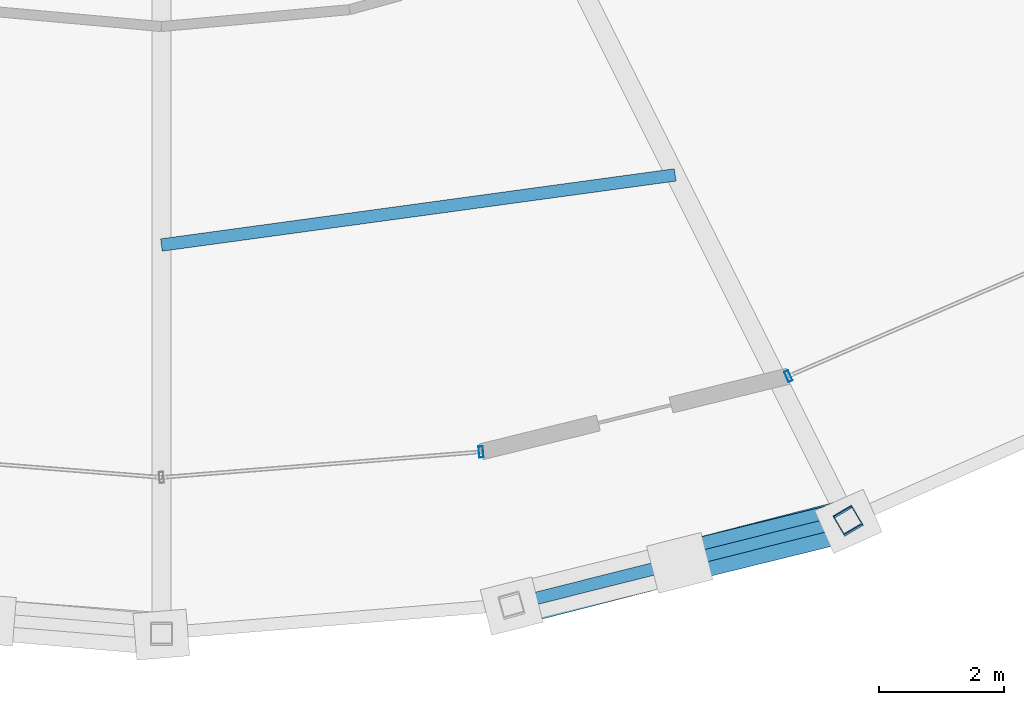
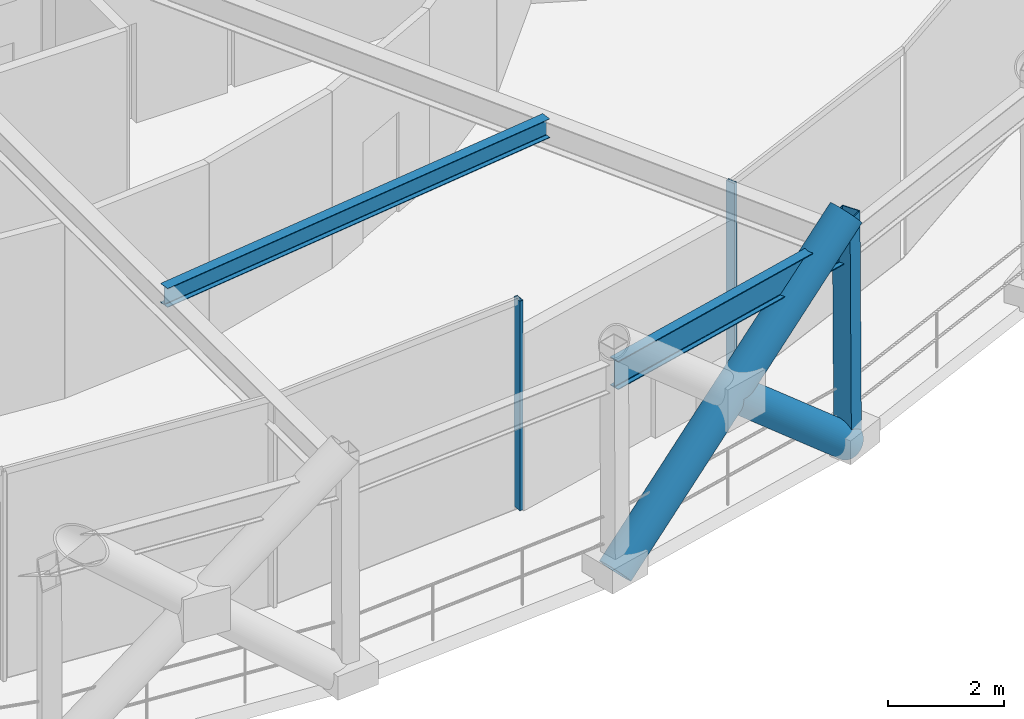
# One storey, part 11 of 39: 5 members, 2 beams, 2 elements without a shape of their own.
"""IFC4 building model written with IfcOpenShell, lengths in metres."""

import ifcopenshell
import ifcopenshell.guid

model = None  # the IFC model being written
_history = None  # IfcOwnerHistory: only IFC2X3 demands one
_inside = {}  # id of a spatial element -> (the spatial element, [elements in it])
_under = {}  # id of a project, library or spatial element -> (it, [spatial elements below it])
_declared = {}  # id of a project -> (the project, [libraries it declares])
_typed = {}  # id of a type object -> (the type object, [elements of that type])
_made_of = {}  # id of a material, layer set ... -> (it, [elements and type objects made of it])


def new_model(schema):
    """Start an empty IFC model of exactly this schema.

    Asked for "IFC4X3", IfcOpenShell would pick the latest addendum, in which some entities
    have other attributes; the version numbers below select the first issue.
    IFC2X3 requires an IfcOwnerHistory on every rooted entity: one is made here for all.
    """
    global model, _history
    if schema == "IFC4X3":
        model = ifcopenshell.file(schema_version=(4, 3, 0, 0))
    else:
        model = ifcopenshell.file(schema=schema)
    _inside.clear()
    _under.clear()
    _declared.clear()
    _typed.clear()
    _made_of.clear()
    _history = None
    if model.schema == "IFC2X3":
        org = make("IfcOrganization", Name="unknown")
        user = make(
            "IfcPersonAndOrganization",
            ThePerson=make("IfcPerson", FamilyName="unknown"),
            TheOrganization=org,
        )
        app = make(
            "IfcApplication",
            ApplicationDeveloper=org,
            Version="unknown",
            ApplicationFullName="unknown",
            ApplicationIdentifier="unknown",
        )
        _history = make(
            "IfcOwnerHistory",
            OwningUser=user,
            OwningApplication=app,
            ChangeAction="ADDED",
            CreationDate=0,
        )
    return model


def make(cls, **values):
    """One entity of the class cls with the attributes given. An attribute that is None is left unset."""
    return model.create_entity(
        cls, **{name: value for name, value in values.items() if value is not None}
    )


def rooted(cls, **values):
    """An entity with a GlobalId (a new one), such as an element, a storey or a relation."""
    return make(cls, GlobalId=ifcopenshell.guid.new(), OwnerHistory=_history, **values)


def si_unit(unit_type, name, prefix=None):
    """IfcSIUnit, for example si_unit("LENGTHUNIT", "METRE", prefix="MILLI")."""
    return make("IfcSIUnit", UnitType=unit_type, Prefix=prefix, Name=name)


def assignment(units):
    """IfcUnitAssignment: the units of a project."""
    return None if units is None else make("IfcUnitAssignment", Units=units)


def point(xyz):
    """IfcCartesianPoint."""
    return None if xyz is None else make("IfcCartesianPoint", Coordinates=xyz)


def direction(xyz):
    """IfcDirection."""
    return None if xyz is None else make("IfcDirection", DirectionRatios=xyz)


def frame(location, z_axis=None, x_axis=None):
    """IfcAxis2Placement3D, a coordinate frame: its origin and axes. An axis left out is left unset."""
    return make(
        "IfcAxis2Placement3D",
        Location=point(location),
        Axis=direction(z_axis),
        RefDirection=direction(x_axis),
    )


def frame_2d(location, x_axis=None):
    """IfcAxis2Placement2D, a coordinate frame in the plane: its origin and x axis."""
    return make(
        "IfcAxis2Placement2D", Location=point(location), RefDirection=direction(x_axis)
    )


def origin():
    """The frame at (0, 0, 0) with its axes left unset."""
    return frame((0.0, 0.0, 0.0))


def origin_2d():
    """The frame at (0, 0) in the plane with its x axis left unset."""
    return frame_2d((0.0, 0.0))


def place(relative_to, where):
    """IfcLocalPlacement: puts the frame where relative to a parent placement (None: the world)."""
    return make(
        "IfcLocalPlacement", PlacementRelTo=relative_to, RelativePlacement=where
    )


def context(
    kind, dimensions, precision=None, world=None, true_north=None, identifier=None
):
    """IfcGeometricRepresentationContext, for example the 3D "Model" context."""
    return make(
        "IfcGeometricRepresentationContext",
        ContextIdentifier=identifier,
        ContextType=kind,
        CoordinateSpaceDimension=dimensions,
        Precision=precision,
        WorldCoordinateSystem=world,
        TrueNorth=true_north,
    )


def subcontext(parent, identifier, kind, view, scale=None):
    """IfcGeometricRepresentationSubContext, for example "Body" below "Model"."""
    return make(
        "IfcGeometricRepresentationSubContext",
        ContextIdentifier=identifier,
        ContextType=kind,
        ParentContext=parent,
        TargetScale=scale,
        TargetView=view,
    )


def project(units=None, contexts=None):
    """IfcProject with its units and contexts."""
    return rooted(
        "IfcProject",
        Name="project",
        RepresentationContexts=contexts,
        UnitsInContext=assignment(units),
    )


def spatial(cls, under=None, at=None, **own):
    """A site, building, storey or space (cls), placed at a placement, below another one or the project."""
    s = rooted(cls, ObjectPlacement=at, **own)
    if under is not None:
        _under.setdefault(under.id(), (under, []))[1].append(s)
    return s


def profile(cls, at=None, kind="AREA", **sizes):
    """A parametric profile (cls). Its sizes go by their IFC names, for example OverallWidth=200.0."""
    return make(cls, ProfileType=kind, Position=at, **sizes)


def hollow_rectangle(**sizes):
    """IfcRectangleHollowProfileDef."""
    return profile("IfcRectangleHollowProfileDef", **sizes)


def hollow_circle(**sizes):
    """IfcCircleHollowProfileDef."""
    return profile("IfcCircleHollowProfileDef", **sizes)


def i_section(**sizes):
    """IfcIShapeProfileDef."""
    return profile("IfcIShapeProfileDef", **sizes)


def extrude(swept, where, along, depth):
    """IfcExtrudedAreaSolid: the profile swept, set in the frame where, extruded along a direction by depth."""
    return make(
        "IfcExtrudedAreaSolid",
        SweptArea=swept,
        Position=where,
        ExtrudedDirection=direction(along),
        Depth=depth,
    )


def shape(context_of_items, identifier, shape_type, items):
    """IfcShapeRepresentation: the items that make up one representation, for example the "Body"."""
    return make(
        "IfcShapeRepresentation",
        ContextOfItems=context_of_items,
        RepresentationIdentifier=identifier,
        RepresentationType=shape_type,
        Items=items,
    )


def material(Name=None, Category=None):
    """IfcMaterial."""
    return make("IfcMaterial", Name=Name, Category=Category)


def layer(
    of_material, thickness, ventilated=None, Name=None, Category=None, Priority=None
):
    """IfcMaterialLayer: one layer of a wall or slab, of a material (None: an air gap)."""
    return make(
        "IfcMaterialLayer",
        Material=of_material,
        LayerThickness=thickness,
        IsVentilated=ventilated,
        Name=Name,
        Category=Category,
        Priority=Priority,
    )


def layer_set(layers, Name=None):
    """IfcMaterialLayerSet."""
    return make("IfcMaterialLayerSet", MaterialLayers=layers, LayerSetName=Name)


def material_profile(
    of_material, cross_section, Name=None, Category=None, Priority=None
):
    """IfcMaterialProfile: a cross section and its material."""
    return make(
        "IfcMaterialProfile",
        Name=Name,
        Material=of_material,
        Profile=cross_section,
        Priority=Priority,
        Category=Category,
    )


def profile_set(profiles, Name=None, composite=None):
    """IfcMaterialProfileSet."""
    return make(
        "IfcMaterialProfileSet",
        Name=Name,
        MaterialProfiles=profiles,
        CompositeProfile=composite,
    )


def made_of(thing, what):
    """Note that an element or type object is made of a material, layer set ...; save() writes the relation."""
    if what is not None:
        _made_of.setdefault(what.id(), (what, []))[1].append(thing)
    return thing


def type_object(cls, material=None, **own):
    """A type object (cls), such as IfcWallType, which elements share."""
    return made_of(rooted(cls, **own), material)


def element(
    cls,
    number,
    at=None,
    inside=None,
    cuts=None,
    type_object=None,
    material=None,
    context=None,
    identifier="Body",
    shape_type=None,
    held_by="IfcProductDefinitionShape",
    body=None,
    shapes=None,
    **own,
):
    """One element of the class cls, such as IfcWall. Its Tag is "e" and its number.

    at: its placement. inside: the storey or other place that contains it. cuts: it is an
    opening in that element (IfcRelVoidsElement). A single representation is given by context,
    identifier, shape_type and body (its items); several are given by shapes. held_by: the class
    of the entity that holds the representations. save() writes the other relations.
    """
    e = rooted(cls, Tag="e%d" % number, ObjectPlacement=at, **own)
    if body is not None:
        shapes = [shape(context, identifier, shape_type, body)]
    if shapes is not None:
        e.Representation = make(held_by, Representations=shapes)
    if inside is not None:
        _inside.setdefault(inside.id(), (inside, []))[1].append(e)
    if cuts is not None:
        rooted(
            "IfcRelVoidsElement", RelatingBuildingElement=cuts, RelatedOpeningElement=e
        )
    if type_object is not None:
        _typed.setdefault(type_object.id(), (type_object, []))[1].append(e)
    return made_of(e, material)


def aggregate(whole, parts):
    """IfcRelAggregates: a whole, such as a stair, and the parts it consists of."""
    return rooted("IfcRelAggregates", RelatingObject=whole, RelatedObjects=parts)


def save(model, path):
    """Write the relations noted so far, then the file.

    IfcRelAggregates (storeys below a building ...), IfcRelContainedInSpatialStructure (elements
    in a storey), IfcRelDefinesByType, IfcRelAssociatesMaterial and IfcRelDeclares: one each for
    every whole, place, type object, material and project.
    """
    for whole, parts in _under.values():
        aggregate(whole, parts)
    for where, things in _inside.values():
        rooted(
            "IfcRelContainedInSpatialStructure",
            RelatedElements=things,
            RelatingStructure=where,
        )
    for kind, things in _typed.values():
        rooted("IfcRelDefinesByType", RelatedObjects=things, RelatingType=kind)
    for what, things in _made_of.values():
        rooted("IfcRelAssociatesMaterial", RelatedObjects=things, RelatingMaterial=what)
    for by, libraries in _declared.values():
        rooted("IfcRelDeclares", RelatingContext=by, RelatedDefinitions=libraries)
    model.write(path)


model = new_model("IFC4")

# Units and contexts
model_context = context("Model", 3, precision=1e-05, world=origin(), true_north=direction((0.0, 1.0)))
body_context = subcontext(model_context, "Body", "Model", "MODEL_VIEW")
ifc_project = project(units=[si_unit("LENGTHUNIT", "METRE"), si_unit("AREAUNIT", "SQUARE_METRE"), si_unit("VOLUMEUNIT", "CUBIC_METRE"), si_unit("PLANEANGLEUNIT", "RADIAN"), si_unit("MASSUNIT", "GRAM", prefix="KILO")], contexts=[model_context])

# Site, building, storey
site_placement = place(None, origin())
site = spatial("IfcSite", under=ifc_project, at=site_placement, CompositionType="ELEMENT")
building_placement = place(site_placement, origin())
building = spatial("IfcBuilding", under=site, at=building_placement, Name="Veldorina Hangang Commons", CompositionType="ELEMENT")
storey_placement = place(building_placement, frame((0.0, 0.0, 106.0)))
storey = spatial("IfcBuildingStorey", under=building, at=storey_placement, Name="L27", CompositionType="ELEMENT", Elevation=106.0)

# Beams
ifc_material_1 = material(Name="Steel SM355-TMC", Category="steel")
ifc_material_profile_1 = material_profile(ifc_material_1, i_section(OverallWidth=0.199951171875, OverallDepth=0.39990234375, WebThickness=0.008056640625, FlangeThickness=0.012939453125, FilletRadius=0.012939453125, at=origin_2d()), Name="H-400x200x8x13")
ifc_profile_set_1 = profile_set([ifc_material_profile_1], Name="Steel SM355-TMC")
beam_type_1 = type_object("IfcBeamType", Name="BM-JST400", PredefinedType="JOIST", material=ifc_profile_set_1)
beam_1_placement = place(storey_placement, frame((32.0, 6.3974609375, 4.239990234375), z_axis=(0.990812466832, 0.135242950166, 0.0), x_axis=(-0.135242950166, 0.990812466832, 0.0)))
element("IfcBeam", 1, at=beam_1_placement, inside=storey, type_object=beam_type_1, Name="L27 secondary floor joist 13", PredefinedType="JOIST", context=body_context, shape_type="SweptSolid", body=[
    extrude(i_section(OverallWidth=0.199951171875, OverallDepth=0.39990234375, WebThickness=0.008056640625, FlangeThickness=0.012939453125, FilletRadius=0.012939453125, at=origin_2d()), origin(), (0.0, 0.0, 1.0), 8.31298828125),
])
ifc_material_2 = material(Name="Steel SM420-TMC", Category="steel")
ifc_material_profile_2 = material_profile(ifc_material_2, i_section(OverallWidth=0.199951171875, OverallDepth=0.60009765625, WebThickness=0.010986328125, FlangeThickness=0.01708984375, FilletRadius=0.01806640625, at=origin_2d()), Name="H-600x200x11x17")
ifc_profile_set_2 = profile_set([ifc_material_profile_2], Name="Steel SM420-TMC")
beam_type_2 = type_object("IfcBeamType", Name="BM-RB600", PredefinedType="BEAM", material=ifc_profile_set_2)
beam_2_placement = place(storey_placement, frame((37.60888671875, 0.632568359375, 4.139892578125), z_axis=(0.969829219212, 0.243785326798, 0.0), x_axis=(-0.243785326798, 0.969829219212, 0.0)))
element("IfcBeam", 2, at=beam_2_placement, inside=storey, type_object=beam_type_2, Name="L27 perimeter hoop ring beam 25", PredefinedType="BEAM", context=body_context, shape_type="SweptSolid", body=[
    extrude(i_section(OverallWidth=0.199951171875, OverallDepth=0.60009765625, WebThickness=0.010986328125, FlangeThickness=0.01708984375, FilletRadius=0.01806640625, at=origin_2d()), origin(), (0.0, 0.0, 1.0), 5.56103515625),
])

# Curtain wall, member
ifc_material_3 = material(Name="Glass Acoustic Laminated", Category="glass")
ifc_layer = layer(ifc_material_3, 0.179931640625)
ifc_layer_set = layer_set([ifc_layer], Name="Glass Acoustic Laminated")
curtain_wall_type = type_object("IfcCurtainWallType", Name="CW-SYS-SKY", PredefinedType="NOTDEFINED", material=ifc_layer_set)
curtain_wall_1_placement = place(storey_placement, origin())
curtain_wall_1 = element("IfcCurtainWall", 3, at=curtain_wall_1_placement, inside=storey, type_object=curtain_wall_type, Name="L27 unitised curtain wall CW-L27-R11", PredefinedType="NOTDEFINED")
ifc_material_4 = material(Name="Aluminium Anodized AA6063-T6", Category="aluminium")
ifc_material_profile_3 = material_profile(ifc_material_4, hollow_rectangle(XDim=0.070068359375, YDim=0.179931640625, WallThickness=0.00390625, at=origin_2d()), Name="ALU-RHS-180x70x4")
ifc_profile_set_3 = profile_set([ifc_material_profile_3], Name="Aluminium Anodized AA6063-T6")
member_type_1 = type_object("IfcMemberType", Name="CW-MUL-180", PredefinedType="MULLION", material=ifc_profile_set_3)
member_1_placement = place(storey_placement, frame((37.12353515625, 3.081787109375, 0.0), z_axis=(0.0, 0.0, 1.0), x_axis=(-0.996816560632, -0.079729194461, 0.0)))
member_1 = element("IfcMember", 4, at=member_1_placement, type_object=member_type_1, Name="CW-L27-R11 vertical mullion 5", PredefinedType="MULLION", context=body_context, shape_type="SweptSolid", body=[
    extrude(hollow_rectangle(XDim=0.070068359375, YDim=0.179931640625, WallThickness=0.00390625, at=origin_2d()), origin(), (0.0, 0.0, 1.0), 4.39990234375),
])
aggregate(curtain_wall_1, [member_1])

curtain_wall_2_placement = place(storey_placement, origin())
curtain_wall_2 = element("IfcCurtainWall", 5, at=curtain_wall_2_placement, inside=storey, type_object=curtain_wall_type, Name="L27 unitised curtain wall CW-L27-R12", PredefinedType="NOTDEFINED")
member_2_placement = place(storey_placement, frame((42.05029296875, 4.29541015625, 0.0), z_axis=(0.0, 0.0, 1.0), x_axis=(0.917310434777, 0.398172784415, 0.0)))
member_2 = element("IfcMember", 6, at=member_2_placement, type_object=member_type_1, Name="CW-L27-R12 vertical mullion 1", PredefinedType="MULLION", context=body_context, shape_type="SweptSolid", body=[
    extrude(hollow_rectangle(XDim=0.070068359375, YDim=0.179931640625, WallThickness=0.00390625, at=origin_2d()), origin(), (0.0, 0.0, 1.0), 4.39990234375),
])
aggregate(curtain_wall_2, [member_2])

# Members
ifc_material_5 = material(Name="Steel SM460-TMC", Category="steel")
ifc_material_profile_4 = material_profile(ifc_material_5, hollow_circle(Radius=0.324951171875, WallThickness=0.031982421875, at=origin_2d()), Name="CHS-650x32")
ifc_profile_set_4 = profile_set([ifc_material_profile_4], Name="Steel SM460-TMC")
member_type_2 = type_object("IfcMemberType", Name="DG-CHS650", PredefinedType="BRACE", material=ifc_profile_set_4)
member_3_placement = place(storey_placement, frame((37.615234375, 0.610107421875, 0.0), z_axis=(0.733162851579, 0.18810212527, 0.653521096472), x_axis=(-0.248513756508, 0.968628366726, 0.0)))
element("IfcMember", 7, at=member_3_placement, inside=storey, type_object=member_type_2, Name="L27 continuous perimeter diagrid brace 25", PredefinedType="BRACE", context=body_context, shape_type="SweptSolid", body=[
    extrude(hollow_circle(Radius=0.324951171875, WallThickness=0.031982421875, at=origin_2d()), origin(), (0.0, 0.0, 1.0), 7.344970703125),
])
member_4_placement = place(storey_placement, frame((43.0146484375, 1.96728515625, 0.0), z_axis=(-0.735446004637, -0.181073709445, 0.652940645091), x_axis=(0.239069895386, -0.971002361027, 0.0)))
element("IfcMember", 8, at=member_4_placement, inside=storey, type_object=member_type_2, Name="L27 split perimeter diagrid lower brace 26", PredefinedType="BRACE", context=body_context, shape_type="SweptSolid", body=[
    extrude(hollow_circle(Radius=0.324951171875, WallThickness=0.031982421875, at=origin_2d()), origin(), (0.0, 0.0, 1.0), 3.67822265625),
])
ifc_material_profile_5 = material_profile(ifc_material_1, hollow_rectangle(XDim=0.35009765625, YDim=0.35009765625, WallThickness=0.01611328125, at=origin_2d()), Name="SHS-350x350x16")
ifc_profile_set_5 = profile_set([ifc_material_profile_5], Name="Steel SM355-TMC")
member_type_3 = type_object("IfcMemberType", Name="STR-SHS350", PredefinedType="STRUT", material=ifc_profile_set_5)
member_5_placement = place(storey_placement, frame((43.0146484375, 1.96728515625, 0.0), z_axis=(-0.00300081233, 0.005086122593, 0.999982563089), x_axis=(-0.86126925759, -0.508148861978, 0.0)))
element("IfcMember", 9, at=member_5_placement, inside=storey, type_object=member_type_3, Name="L27 perimeter ring node post 26", PredefinedType="STRUT", context=body_context, shape_type="SweptSolid", body=[
    extrude(hollow_rectangle(XDim=0.35009765625, YDim=0.35009765625, WallThickness=0.01611328125, at=origin_2d()), origin(), (0.0, 0.0, 1.0), 4.800048828125),
])

save(model, "model.ifc")
